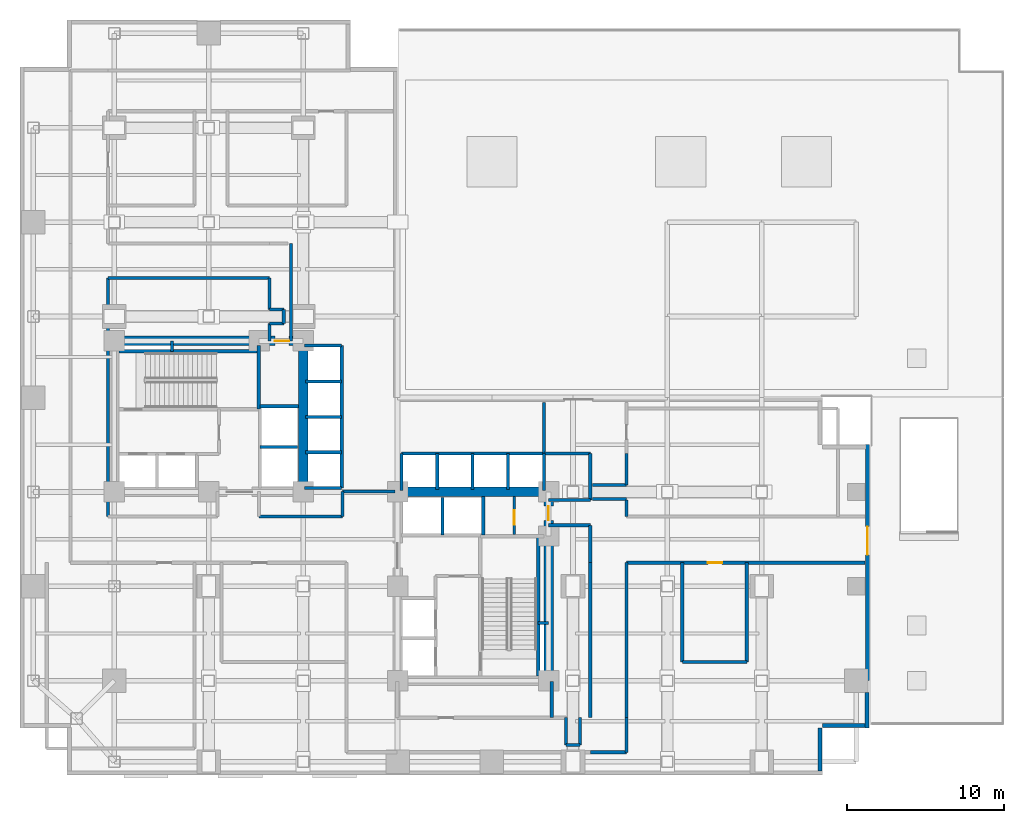
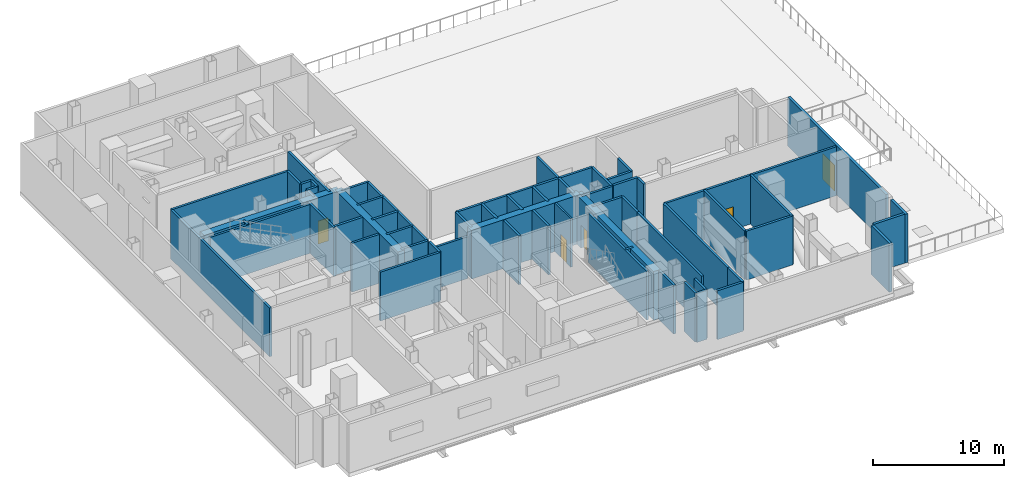
# One storey, part 5 of 8: 63 walls, 5 doors, 5 openings.
"""IFC4 building model written with IfcOpenShell, lengths in metres."""

from ifc_helpers import new_model, si_unit, direction, frame, frame_2d, origin, place, context, subcontext, project, spatial, rectangle, extrude, material, layer, layer_set, type_object, element, fill, save


model = new_model("IFC4")

# Units and contexts
model_context = context("Model", 3, precision=1e-05, world=origin(), true_north=direction((0.0, 1.0)))
body_context = subcontext(model_context, "Body", "Model", "MODEL_VIEW")
ifc_project = project(units=[si_unit("LENGTHUNIT", "METRE"), si_unit("AREAUNIT", "SQUARE_METRE"), si_unit("VOLUMEUNIT", "CUBIC_METRE"), si_unit("PLANEANGLEUNIT", "RADIAN"), si_unit("MASSUNIT", "GRAM", prefix="KILO"), si_unit("THERMODYNAMICTEMPERATUREUNIT", "KELVIN"), si_unit("POWERUNIT", "WATT")], contexts=[model_context])

# Site, building, storey
site_placement = place(None, origin())
site = spatial("IfcSite", under=ifc_project, at=site_placement, CompositionType="ELEMENT")
building_placement = place(site_placement, origin())
building = spatial("IfcBuilding", under=site, at=building_placement, Name="Svarakhadi Broadcast Tower", CompositionType="ELEMENT")
storey_placement = place(building_placement, frame((0.0, 0.0, 27.60009765625)))
storey = spatial("IfcBuildingStorey", under=building, at=storey_placement, Name="L05", CompositionType="ELEMENT", Elevation=27.60009765625)

# Wall, opening, door
ifc_material_1 = material(Name="Concrete C40/50 (IS 456 M50)", Category="concrete")
ifc_layer_1 = layer(ifc_material_1, 0.239990234375)
ifc_layer_set_1 = layer_set([ifc_layer_1], Name="Concrete C40/50 (IS 456 M50)")
wall_type_1 = type_object("IfcWallType", Name="Wall_Ext_240", PredefinedType="SOLIDWALL", material=ifc_layer_set_1)
wall_1_placement = place(storey_placement, frame((53.8798828125, 21.0, 0.0), z_axis=(0.0, 0.0, 1.0), x_axis=(0.0, -1.0, 0.0)))
wall_1 = element("IfcWall", 1, at=wall_1_placement, inside=storey, type_object=wall_type_1, Name="L05 East Podium Terrace Access Wall", PredefinedType="SOLIDWALL", context=body_context, shape_type="SweptSolid", body=[
    extrude(rectangle(XDim=15.0, YDim=0.239990234375, at=frame_2d((7.5, 0.0))), origin(), (0.0, 0.0, 1.0), 4.5498046875),
])
opening_1_placement = place(wall_1_placement, frame((5.199951171875, 0.0, 0.0)))
opening_1 = element("IfcOpeningElement", 2, at=opening_1_placement, cuts=wall_1, Name="Opening ED-02", PredefinedType="OPENING", context=body_context, shape_type="SweptSolid", body=[
    extrude(rectangle(XDim=1.800048828125, YDim=2.39990234375, at=frame_2d((0.89990234375, 1.199951171875))), frame((0.0, 0.1298828125, 0.0), z_axis=(0.0, -1.0, 0.0), x_axis=(1.0, 0.0, 0.0)), (0.0, 0.0, 1.0), 0.260009765625),
])
ifc_material_2 = material(Name="Anodised Bronze Aluminium AA 6063-T6", Category="aluminium")
door_type_1 = type_object("IfcDoorType", Name="Door_Ext_ED02", OperationType="DOUBLE_DOOR_SINGLE_SWING", PredefinedType="DOOR", material=ifc_material_2)
door_1_placement = place(opening_1_placement, origin())
door_1 = element("IfcDoor", 3, at=door_1_placement, inside=storey, type_object=door_type_1, Name="L05 Podium SE Roof Terrace Access Door", OperationType="DOUBLE_DOOR_SINGLE_SWING", OverallHeight=2.39990234375, OverallWidth=1.800048828125, PredefinedType="DOOR", context=body_context, shape_type="SweptSolid", body=[
    extrude(rectangle(XDim=1.800048828125, YDim=2.39990234375, at=frame_2d((0.89990234375, 1.199951171875))), frame((0.0, 0.02490234375, 0.0), z_axis=(0.0, -1.0, 0.0), x_axis=(1.0, 0.0, 0.0)), (0.0, 0.0, 1.0), 0.050048828125),
])
fill(opening_1, door_1)

# Walls
wall_2_placement = place(storey_placement, frame((53.85009765625, 5.264892578125, 0.0), z_axis=(0.0, 0.0, 1.0), x_axis=(0.0, -1.0, 0.0)))
element("IfcWall", 4, at=wall_2_placement, inside=storey, type_object=wall_type_1, Name="L05 Perimeter Bronze Spandrel Closure Wall 11", PredefinedType="SOLIDWALL", context=body_context, shape_type="SweptSolid", body=[
    extrude(rectangle(XDim=2.264892578125, YDim=0.239990234375, at=frame_2d((1.13232421875, 0.0))), origin(), (0.0, 0.0, 1.0), 4.5498046875),
])
wall_3_placement = place(storey_placement, frame((53.72509765625, 3.14990234375, 0.0), z_axis=(0.0, 0.0, 1.0), x_axis=(-1.0, 0.0, 0.0)))
element("IfcWall", 5, at=wall_3_placement, inside=storey, type_object=wall_type_1, Name="L05 Perimeter Bronze Spandrel Closure Wall 12", PredefinedType="SOLIDWALL", context=body_context, shape_type="SweptSolid", body=[
    extrude(rectangle(XDim=2.72509765625, YDim=0.239990234375, at=frame_2d((1.362548828125, 0.0))), origin(), (0.0, 0.0, 1.0), 4.5498046875),
])
wall_4_placement = place(storey_placement, frame((50.85009765625, 3.0, 0.0), z_axis=(0.0, 0.0, 1.0), x_axis=(0.0, -1.0, 0.0)))
element("IfcWall", 6, at=wall_4_placement, inside=storey, type_object=wall_type_1, Name="L05 Perimeter Bronze Spandrel Closure Wall 13", PredefinedType="SOLIDWALL", context=body_context, shape_type="SweptSolid", body=[
    extrude(rectangle(XDim=2.7451171875, YDim=0.239990234375, at=frame_2d((1.37255859375, 0.0))), origin(), (0.0, 0.0, 1.0), 4.5498046875),
])
ifc_layer_2 = layer(ifc_material_1, 0.199951171875)
ifc_layer_set_2 = layer_set([ifc_layer_2], Name="Concrete C40/50 (IS 456 M50)")
wall_type_2 = type_object("IfcWallType", Name="Wall_Fire_200", PredefinedType="SOLIDWALL", material=ifc_layer_set_2)
for number, where, z_axis, x_axis, name in (
    (7, (9.659912109375, 26.93994140625, 0.0), (0.0, 0.0, 1.0), (0.0, 1.0, 0.0), "L05 Wet Riser Shaft East Wall"),
    (8, (32.93994140625, 9.659912109375, 0.0), (0.0, 0.0, 1.0), (1.0, 0.0, 0.0), "L05 HV Busduct Riser Shaft North Wall"),
):
    element("IfcWall", number, at=place(storey_placement, frame(where, z_axis=z_axis, x_axis=x_axis)), inside=storey, type_object=wall_type_2, Name=name, PredefinedType="SOLIDWALL", context=body_context, shape_type="SweptSolid", body=[
        extrude(rectangle(XDim=0.64013671875, YDim=0.199951171875, at=frame_2d((0.320068359375, 0.0))), origin(), (0.0, 0.0, 1.0), 4.5498046875),
    ])
wall_5_placement = place(storey_placement, frame((17.219970703125, 33.800048828125, 0.0), z_axis=(0.0, 0.0, 1.0), x_axis=(0.0, -1.0, 0.0)))
element("IfcWall", 9, at=wall_5_placement, inside=storey, type_object=wall_type_2, Name="L05 Plant Service Corridor Wall", PredefinedType="SOLIDWALL", context=body_context, shape_type="SweptSolid", body=[
    extrude(rectangle(XDim=6.219970703125, YDim=0.199951171875, at=frame_2d((3.10986328125, 0.0))), origin(), (0.0, 0.0, 1.0), 4.5498046875),
])
wall_6_placement = place(storey_placement, frame((15.85009765625, 27.580078125, 0.0), z_axis=(0.0, 0.0, 1.0), x_axis=(0.0, 1.0, 0.0)))
element("IfcWall", 10, at=wall_6_placement, inside=storey, type_object=wall_type_2, Name="L05 Plant Service Corridor Wall", PredefinedType="SOLIDWALL", context=body_context, shape_type="SweptSolid", body=[
    extrude(rectangle(XDim=1.119873046875, YDim=0.199951171875, at=frame_2d((0.56005859375, 0.0))), origin(), (0.0, 0.0, 1.0), 4.5498046875),
])
wall_7_placement = place(storey_placement, frame((15.85009765625, 28.699951171875, 0.0), z_axis=(0.0, 0.0, 1.0), x_axis=(1.0, 0.0, 0.0)))
element("IfcWall", 11, at=wall_7_placement, inside=storey, type_object=wall_type_2, Name="L05 Plant Service Corridor Wall", PredefinedType="SOLIDWALL", context=body_context, shape_type="SweptSolid", body=[
    extrude(rectangle(XDim=0.9169921875, YDim=0.199951171875, at=frame_2d((0.45849609375, 0.0))), origin(), (0.0, 0.0, 1.0), 4.5498046875),
])
wall_8_placement = place(storey_placement, frame((16.76708984375, 28.699951171875, 0.0), z_axis=(0.0, 0.0, 1.0), x_axis=(0.0, 1.0, 0.0)))
element("IfcWall", 12, at=wall_8_placement, inside=storey, type_object=wall_type_2, Name="L05 Plant Service Corridor Wall", PredefinedType="SOLIDWALL", context=body_context, shape_type="SweptSolid", body=[
    extrude(rectangle(XDim=0.900146484375, YDim=0.199951171875, at=frame_2d((0.4501953125, 0.0))), origin(), (0.0, 0.0, 1.0), 4.5498046875),
])
wall_9_placement = place(storey_placement, frame((16.76708984375, 29.60009765625, 0.0), z_axis=(0.0, 0.0, 1.0), x_axis=(-1.0, 0.0, 0.0)))
element("IfcWall", 13, at=wall_9_placement, inside=storey, type_object=wall_type_2, Name="L05 Plant Service Corridor Wall", PredefinedType="SOLIDWALL", context=body_context, shape_type="SweptSolid", body=[
    extrude(rectangle(XDim=0.9169921875, YDim=0.199951171875, at=frame_2d((0.45849609375, 0.0))), origin(), (0.0, 0.0, 1.0), 4.5498046875),
])
wall_10_placement = place(storey_placement, frame((15.85009765625, 29.60009765625, 0.0), z_axis=(0.0, 0.0, 1.0), x_axis=(0.0, 1.0, 0.0)))
element("IfcWall", 14, at=wall_10_placement, inside=storey, type_object=wall_type_2, Name="L05 Plant Service Corridor Wall", PredefinedType="SOLIDWALL", context=body_context, shape_type="SweptSolid", body=[
    extrude(rectangle(XDim=2.0, YDim=0.199951171875, at=frame_2d((1.0, 0.0))), origin(), (0.0, 0.0, 1.0), 4.5498046875),
])
wall_11_placement = place(storey_placement, frame((15.85009765625, 31.60009765625, 0.0), z_axis=(0.0, 0.0, 1.0), x_axis=(-1.0, 0.0, 0.0)))
element("IfcWall", 15, at=wall_11_placement, inside=storey, type_object=wall_type_2, Name="L05 Plant Service Corridor Wall", PredefinedType="SOLIDWALL", context=body_context, shape_type="SweptSolid", body=[
    extrude(rectangle(XDim=10.25, YDim=0.199951171875, at=frame_2d((5.125, 0.0))), origin(), (0.0, 0.0, 1.0), 4.5498046875),
])
wall_12_placement = place(storey_placement, frame((5.60009765625, 31.60009765625, 0.0), z_axis=(0.0, 0.0, 1.0), x_axis=(0.0, -1.0, 0.0)))
element("IfcWall", 16, at=wall_12_placement, inside=storey, type_object=wall_type_2, Name="L05 Plant Service Corridor Wall", PredefinedType="SOLIDWALL", context=body_context, shape_type="SweptSolid", body=[
    extrude(rectangle(XDim=15.150146484375, YDim=0.199951171875, at=frame_2d((7.5751953125, 0.0))), origin(), (0.0, 0.0, 1.0), 4.5498046875),
])
wall_13_placement = place(storey_placement, frame((15.199951171875, 16.449951171875, 0.0), z_axis=(0.0, 0.0, 1.0), x_axis=(1.0, 0.0, 0.0)))
element("IfcWall", 17, at=wall_13_placement, inside=storey, type_object=wall_type_2, Name="L05 Plant Service Corridor Wall", PredefinedType="SOLIDWALL", context=body_context, shape_type="SweptSolid", body=[
    extrude(rectangle(XDim=5.300048828125, YDim=0.199951171875, at=frame_2d((2.64990234375, 0.0))), origin(), (0.0, 0.0, 1.0), 4.5498046875),
])
wall_14_placement = place(storey_placement, frame((20.5, 16.449951171875, 0.0), z_axis=(0.0, 0.0, 1.0), x_axis=(0.0, 1.0, 0.0)))
element("IfcWall", 18, at=wall_14_placement, inside=storey, type_object=wall_type_2, Name="L05 Plant Service Corridor Wall", PredefinedType="SOLIDWALL", context=body_context, shape_type="SweptSolid", body=[
    extrude(rectangle(XDim=1.570068359375, YDim=0.199951171875, at=frame_2d((0.78515625, 0.0))), origin(), (0.0, 0.0, 1.0), 4.5498046875),
])
wall_15_placement = place(storey_placement, frame((20.5, 18.02001953125, 0.0), z_axis=(0.0, 0.0, 1.0), x_axis=(1.0, 0.0, 0.0)))
element("IfcWall", 19, at=wall_15_placement, inside=storey, type_object=wall_type_2, Name="L05 Plant Service Corridor Wall", PredefinedType="SOLIDWALL", context=body_context, shape_type="SweptSolid", body=[
    extrude(rectangle(XDim=3.35009765625, YDim=0.199951171875, at=frame_2d((1.675048828125, 0.0))), origin(), (0.0, 0.0, 1.0), 3.891845703125),
])
wall_16_placement = place(storey_placement, frame((34.699951171875, 3.64990234375, 0.0), z_axis=(0.0, 0.0, 1.0), x_axis=(0.0, -1.0, 0.0)))
element("IfcWall", 20, at=wall_16_placement, inside=storey, type_object=wall_type_2, Name="L05 Plant Service Corridor Wall", PredefinedType="SOLIDWALL", context=body_context, shape_type="SweptSolid", body=[
    extrude(rectangle(XDim=1.741943359375, YDim=0.199951171875, at=frame_2d((0.87109375, 0.0))), origin(), (0.0, 0.0, 1.0), 4.5498046875),
])
wall_17_placement = place(storey_placement, frame((34.699951171875, 1.907958984375, 0.0), z_axis=(0.0, 0.0, 1.0), x_axis=(1.0, 0.0, 0.0)))
element("IfcWall", 21, at=wall_17_placement, inside=storey, type_object=wall_type_2, Name="L05 Plant Service Corridor Wall", PredefinedType="SOLIDWALL", context=body_context, shape_type="SweptSolid", body=[
    extrude(rectangle(XDim=0.900146484375, YDim=0.199951171875, at=frame_2d((0.4501953125, 0.0))), origin(), (0.0, 0.0, 1.0), 4.5498046875),
])
wall_18_placement = place(storey_placement, frame((35.60009765625, 1.907958984375, 0.0), z_axis=(0.0, 0.0, 1.0), x_axis=(0.0, 1.0, 0.0)))
element("IfcWall", 22, at=wall_18_placement, inside=storey, type_object=wall_type_2, Name="L05 Plant Service Corridor Wall", PredefinedType="SOLIDWALL", context=body_context, shape_type="SweptSolid", body=[
    extrude(rectangle(XDim=1.741943359375, YDim=0.199951171875, at=frame_2d((0.87109375, 0.0))), origin(), (0.0, 0.0, 1.0), 4.5498046875),
])
wall_19_placement = place(storey_placement, frame((36.25, 3.64990234375, 0.0), z_axis=(0.0, 0.0, 1.0), x_axis=(0.0, 1.0, 0.0)))
element("IfcWall", 23, at=wall_19_placement, inside=storey, type_object=wall_type_2, Name="L05 Plant Service Corridor Wall", PredefinedType="SOLIDWALL", context=body_context, shape_type="SweptSolid", body=[
    extrude(rectangle(XDim=9.85009765625, YDim=0.199951171875, at=frame_2d((4.925048828125, 0.0))), origin(), (0.0, 0.0, 1.0), 4.5498046875),
])
wall_20_placement = place(storey_placement, frame((36.25, 13.5, 0.0), z_axis=(0.0, 0.0, 1.0), x_axis=(0.0, 1.0, 0.0)))
element("IfcWall", 24, at=wall_20_placement, inside=storey, type_object=wall_type_2, Name="L05 Plant Service Corridor Wall", PredefinedType="SOLIDWALL", context=body_context, shape_type="SweptSolid", body=[
    extrude(rectangle(XDim=2.3798828125, YDim=0.199951171875, at=frame_2d((1.18994140625, 0.0))), origin(), (0.0, 0.0, 1.0), 4.5498046875),
])
for number, where, z_axis, x_axis, name in (
    (25, (36.25, 15.8798828125, 0.0), (0.0, 0.0, 1.0), (-1.0, 0.0, 0.0), "L05 Plant Service Corridor Wall"),
    (26, (33.580078125, 17.47998046875, 0.0), (0.0, 0.0, 1.0), (1.0, 0.0, 0.0), "L05 Plant Service Corridor Wall"),
):
    element("IfcWall", number, at=place(storey_placement, frame(where, z_axis=z_axis, x_axis=x_axis)), inside=storey, type_object=wall_type_2, Name=name, PredefinedType="SOLIDWALL", context=body_context, shape_type="SweptSolid", body=[
        extrude(rectangle(XDim=2.669921875, YDim=0.199951171875, at=frame_2d((1.3349609375, 0.0))), origin(), (0.0, 0.0, 1.0), 4.5498046875),
    ])
wall_21_placement = place(storey_placement, frame((36.25, 17.47998046875, 0.0), z_axis=(0.0, 0.0, 1.0), x_axis=(0.0, 1.0, 0.0)))
element("IfcWall", 27, at=wall_21_placement, inside=storey, type_object=wall_type_2, Name="L05 Plant Service Corridor Wall", PredefinedType="SOLIDWALL", context=body_context, shape_type="SweptSolid", body=[
    extrude(rectangle(XDim=2.969970703125, YDim=0.199951171875, at=frame_2d((1.48486328125, 0.0))), origin(), (0.0, 0.0, 1.0), 4.5498046875),
])
wall_22_placement = place(storey_placement, frame((36.25, 20.449951171875, 0.0), z_axis=(0.0, 0.0, 1.0), x_axis=(-1.0, 0.0, 0.0)))
element("IfcWall", 28, at=wall_22_placement, inside=storey, type_object=wall_type_2, Name="L05 Plant Service Corridor Wall", PredefinedType="SOLIDWALL", context=body_context, shape_type="SweptSolid", body=[
    extrude(rectangle(XDim=2.949951171875, YDim=0.199951171875, at=frame_2d((1.47509765625, 0.0))), origin(), (0.0, 0.0, 1.0), 4.5498046875),
])
wall_23_placement = place(storey_placement, frame((33.300048828125, 20.449951171875, 0.0), z_axis=(0.0, 0.0, 1.0), x_axis=(0.0, 1.0, 0.0)))
element("IfcWall", 29, at=wall_23_placement, inside=storey, type_object=wall_type_2, Name="L05 Plant Service Corridor Wall", PredefinedType="SOLIDWALL", context=body_context, shape_type="SweptSolid", body=[
    extrude(rectangle(XDim=3.25, YDim=0.199951171875, at=frame_2d((1.625, 0.0))), origin(), (0.0, 0.0, 1.0), 4.5498046875),
])
wall_24_placement = place(storey_placement, frame((38.550048828125, 20.449951171875, 0.0), z_axis=(0.0, 0.0, 1.0), x_axis=(0.0, -1.0, 0.0)))
element("IfcWall", 30, at=wall_24_placement, inside=storey, type_object=wall_type_2, Name="L05 Plant Service Corridor Wall", PredefinedType="SOLIDWALL", context=body_context, shape_type="SweptSolid", body=[
    extrude(rectangle(XDim=2.0, YDim=0.199951171875, at=frame_2d((1.0, 0.0))), origin(), (0.0, 0.0, 1.0), 4.5498046875),
])
for number, where, z_axis, x_axis, name in (
    (31, (38.550048828125, 18.449951171875, 0.0), (0.0, 0.0, 1.0), (-1.0, 0.0, 0.0), "L05 Plant Service Corridor Wall"),
    (32, (36.383056640625, 17.550048828125, 0.0), (0.0, 0.0, 1.0), (1.0, 0.0, 0.0), "L05 Plant Service Corridor Wall"),
):
    element("IfcWall", number, at=place(storey_placement, frame(where, z_axis=z_axis, x_axis=x_axis)), inside=storey, type_object=wall_type_2, Name=name, PredefinedType="SOLIDWALL", context=body_context, shape_type="SweptSolid", body=[
        extrude(rectangle(XDim=2.1669921875, YDim=0.199951171875, at=frame_2d((1.08349609375, 0.0))), origin(), (0.0, 0.0, 1.0), 4.5498046875),
    ])
wall_25_placement = place(storey_placement, frame((38.550048828125, 17.47998046875, 0.0), z_axis=(0.0, 0.0, 1.0), x_axis=(0.0, -1.0, 0.0)))
element("IfcWall", 33, at=wall_25_placement, inside=storey, type_object=wall_type_2, Name="L05 Plant Service Corridor Wall", PredefinedType="SOLIDWALL", context=body_context, shape_type="SweptSolid", body=[
    extrude(rectangle(XDim=1.030029296875, YDim=0.199951171875, at=frame_2d((0.51513671875, 0.0))), origin(), (0.0, 0.0, 1.0), 4.5498046875),
])

# Wall, opening, door
wall_26_placement = place(storey_placement, frame((53.699951171875, 13.5, 0.0), z_axis=(0.0, 0.0, 1.0), x_axis=(-1.0, 0.0, 0.0)))
wall_26 = element("IfcWall", 34, at=wall_26_placement, inside=storey, type_object=wall_type_2, Name="L05 Plant Service Corridor Wall", PredefinedType="SOLIDWALL", context=body_context, shape_type="SweptSolid", body=[
    extrude(rectangle(XDim=15.14990234375, YDim=0.199951171875, at=frame_2d((7.574951171875, 0.0))), origin(), (0.0, 0.0, 1.0), 4.5498046875),
])
opening_2_placement = place(wall_26_placement, frame((9.074951171875, 0.0, 0.0)))
opening_2 = element("IfcOpeningElement", 35, at=opening_2_placement, cuts=wall_26, Name="Opening D-03", PredefinedType="OPENING", context=body_context, shape_type="SweptSolid", body=[
    extrude(rectangle(XDim=0.89990234375, YDim=2.14990234375, at=frame_2d((0.449951171875, 1.074951171875))), frame((0.0, 0.10986328125, 0.0), z_axis=(0.0, -1.0, 0.0), x_axis=(1.0, 0.0, 0.0)), (0.0, 0.0, 1.0), 0.219970703125),
])
ifc_material_3 = material(Name="Galvanised Powder-Coated Fire-Rated Steel Leaf", Category="steel")
door_type_2 = type_object("IfcDoorType", Name="Door_Fire_D03", OperationType="SINGLE_SWING_LEFT", PredefinedType="DOOR", material=ifc_material_3)
door_2_placement = place(opening_2_placement, origin())
door_2 = element("IfcDoor", 36, at=door_2_placement, inside=storey, type_object=door_type_2, Name="L05 Sprinkler Break Tank and Fire Pump Plant Room Door", OperationType="SINGLE_SWING_LEFT", OverallHeight=2.14990234375, OverallWidth=0.89990234375, PredefinedType="DOOR", context=body_context, shape_type="SweptSolid", body=[
    extrude(rectangle(XDim=0.89990234375, YDim=2.14990234375, at=frame_2d((0.449951171875, 1.074951171875))), frame((0.0, 0.02490234375, 0.0), z_axis=(0.0, -1.0, 0.0), x_axis=(1.0, 0.0, 0.0)), (0.0, 0.0, 1.0), 0.050048828125),
])
fill(opening_2, door_2)

# Walls
wall_27_placement = place(storey_placement, frame((38.550048828125, 13.5, 0.0), z_axis=(0.0, 0.0, 1.0), x_axis=(0.0, -1.0, 0.0)))
element("IfcWall", 37, at=wall_27_placement, inside=storey, type_object=wall_type_2, Name="L05 Plant Service Corridor Wall", PredefinedType="SOLIDWALL", context=body_context, shape_type="SweptSolid", body=[
    extrude(rectangle(XDim=9.85009765625, YDim=0.199951171875, at=frame_2d((4.925048828125, 0.0))), origin(), (0.0, 0.0, 1.0), 4.5498046875),
])
wall_28_placement = place(storey_placement, frame((38.550048828125, 3.64990234375, 0.0), z_axis=(0.0, 0.0, 1.0), x_axis=(0.0, -1.0, 0.0)))
element("IfcWall", 38, at=wall_28_placement, inside=storey, type_object=wall_type_2, Name="L05 Plant Service Corridor Wall", PredefinedType="SOLIDWALL", context=body_context, shape_type="SweptSolid", body=[
    extrude(rectangle(XDim=2.199951171875, YDim=0.199951171875, at=frame_2d((1.10009765625, 0.0))), origin(), (0.0, 0.0, 1.0), 4.5498046875),
])
wall_29_placement = place(storey_placement, frame((38.550048828125, 1.449951171875, 0.0), z_axis=(0.0, 0.0, 1.0), x_axis=(-1.0, 0.0, 0.0)))
element("IfcWall", 39, at=wall_29_placement, inside=storey, type_object=wall_type_2, Name="L05 Plant Service Corridor Wall", PredefinedType="SOLIDWALL", context=body_context, shape_type="SweptSolid", body=[
    extrude(rectangle(XDim=2.300048828125, YDim=0.199951171875, at=frame_2d((1.14990234375, 0.0))), origin(), (0.0, 0.0, 1.0), 4.5498046875),
])
wall_30_placement = place(storey_placement, frame((42.10009765625, 7.199951171875, 0.0), z_axis=(0.0, 0.0, 1.0), x_axis=(1.0, 0.0, 0.0)))
element("IfcWall", 40, at=wall_30_placement, inside=storey, type_object=wall_type_2, Name="L05 Sprinkler Break Tank and Fire Pump Plant Room Wall", PredefinedType="SOLIDWALL", context=body_context, shape_type="SweptSolid", body=[
    extrude(rectangle(XDim=4.099853515625, YDim=0.199951171875, at=frame_2d((2.0498046875, 0.0))), origin(), (0.0, 0.0, 1.0), 4.5498046875),
])
for number, where, z_axis, x_axis, name in (
    (41, (42.10009765625, 7.199951171875, 0.0), (0.0, 0.0, 1.0), (0.0, 1.0, 0.0), "L05 Sprinkler Break Tank and Fire Pump Plant Room Wall"),
    (42, (46.199951171875, 7.199951171875, 0.0), (0.0, 0.0, 1.0), (0.0, 1.0, 0.0), "L05 Sprinkler Break Tank and Fire Pump Plant Room Wall"),
):
    element("IfcWall", number, at=place(storey_placement, frame(where, z_axis=z_axis, x_axis=x_axis)), inside=storey, type_object=wall_type_2, Name=name, PredefinedType="SOLIDWALL", context=body_context, shape_type="SweptSolid", body=[
        extrude(rectangle(XDim=6.300048828125, YDim=0.199951171875, at=frame_2d((3.14990234375, 0.0))), origin(), (0.0, 0.0, 1.0), 4.5498046875),
    ])
wall_31_placement = place(storey_placement, frame((33.800048828125, 3.64990234375, 0.0), z_axis=(0.0, 0.0, 1.0), x_axis=(0.0, 1.0, 0.0)))
element("IfcWall", 43, at=wall_31_placement, inside=storey, type_object=wall_type_2, Name="L05 Zone High-Voltage Switchgear Plant Room Wall", PredefinedType="SOLIDWALL", context=body_context, shape_type="SweptSolid", body=[
    extrude(rectangle(XDim=2.300048828125, YDim=0.199951171875, at=frame_2d((1.14990234375, 0.0))), origin(), (0.0, 0.0, 1.0), 4.5498046875),
])

# Wall, opening, door
ifc_material_4 = material(Name="Autoclaved Aerated Concrete Blockwork 150 mm", Category="masonry")
ifc_layer_3 = layer(ifc_material_4, 0.14990234375)
ifc_layer_set_3 = layer_set([ifc_layer_3], Name="Autoclaved Aerated Concrete Blockwork 150 mm")
wall_type_3 = type_object("IfcWallType", Name="Wall_Part_150", PredefinedType="PARTITIONING", material=ifc_layer_set_3)
wall_32_placement = place(storey_placement, frame((31.419921875, 15.280029296875, 0.0), z_axis=(0.0, 0.0, 1.0), x_axis=(0.0, 1.0, 0.0)))
wall_32 = element("IfcWall", 44, at=wall_32_placement, inside=storey, type_object=wall_type_3, Name="L05 Core Service Split Wall", PredefinedType="PARTITIONING", context=body_context, shape_type="SweptSolid", body=[
    extrude(rectangle(XDim=2.419921875, YDim=0.14990234375, at=frame_2d((1.2099609375, 0.0))), origin(), (0.0, 0.0, 1.0), 4.5498046875),
])
opening_3_placement = place(wall_32_placement, frame((0.64990234375, 0.0, 0.0)))
opening_3 = element("IfcOpeningElement", 45, at=opening_3_placement, cuts=wall_32, Name="Opening D-04", PredefinedType="OPENING", context=body_context, shape_type="SweptSolid", body=[
    extrude(rectangle(XDim=0.89990234375, YDim=2.14990234375, at=frame_2d((0.449951171875, 1.074951171875))), frame((0.0, 0.0849609375, 0.0), z_axis=(0.0, -1.0, 0.0), x_axis=(1.0, 0.0, 0.0)), (0.0, 0.0, 1.0), 0.169921875),
])
door_type_3 = type_object("IfcDoorType", Name="Door_Fire_D04", OperationType="SINGLE_SWING_RIGHT", PredefinedType="DOOR", material=ifc_material_3)
door_3_placement = place(opening_3_placement, origin())
door_3 = element("IfcDoor", 46, at=door_3_placement, inside=storey, type_object=door_type_3, Name="L05 Core Inner Riser Store Door", OperationType="SINGLE_SWING_RIGHT", OverallHeight=2.14990234375, OverallWidth=0.89990234375, PredefinedType="DOOR", context=body_context, shape_type="SweptSolid", body=[
    extrude(rectangle(XDim=0.89990234375, YDim=2.14990234375, at=frame_2d((0.449951171875, 1.074951171875))), frame((0.0, 0.02490234375, 0.0), z_axis=(0.0, -1.0, 0.0), x_axis=(1.0, 0.0, 0.0)), (0.0, 0.0, 1.0), 0.050048828125),
])
fill(opening_3, door_3)

# Walls
ifc_material_5 = material(Name="Concrete C50/60 (IS 456 M60)", Category="concrete")
ifc_layer_4 = layer(ifc_material_5, 0.199951171875)
ifc_layer_set_4 = layer_set([ifc_layer_4], Name="Concrete C50/60 (IS 456 M60)")
wall_type_4 = type_object("IfcWallType", Name="Wall_Shear_200", PredefinedType="SHEAR", material=ifc_layer_set_4)
wall_33_placement = place(storey_placement, frame((6.300048828125, 26.93994140625, 0.0), z_axis=(0.0, 0.0, 1.0), x_axis=(1.0, 0.0, 0.0)))
element("IfcWall", 47, at=wall_33_placement, inside=storey, type_object=wall_type_4, Name="L05 Stair ST-01 North RC Shaft Wall", PredefinedType="SHEAR", context=body_context, shape_type="SweptSolid", body=[
    extrude(rectangle(XDim=8.8798828125, YDim=0.199951171875, at=frame_2d((4.43994140625, 0.0))), origin(), (0.0, 0.0, 1.0), 4.5498046875),
])
wall_34_placement = place(storey_placement, frame((15.179931640625, 23.260009765625, 0.0), z_axis=(0.0, 0.0, 1.0), x_axis=(0.0, 1.0, 0.0)))
element("IfcWall", 48, at=wall_34_placement, inside=storey, type_object=wall_type_4, Name="L05 Stair ST-01 East RC Shaft Wall", PredefinedType="SHEAR", context=body_context, shape_type="SweptSolid", body=[
    extrude(rectangle(XDim=4.0400390625, YDim=0.199951171875, at=frame_2d((2.02001953125, 0.0))), origin(), (0.0, 0.0, 1.0), 4.5498046875),
])
wall_35_placement = place(storey_placement, frame((32.93994140625, 6.300048828125, 0.0), z_axis=(0.0, 0.0, 1.0), x_axis=(0.0, 1.0, 0.0)))
element("IfcWall", 49, at=wall_35_placement, inside=storey, type_object=wall_type_4, Name="L05 Stair ST-02 East RC Shaft Wall", PredefinedType="SHEAR", context=body_context, shape_type="SweptSolid", body=[
    extrude(rectangle(XDim=8.8798828125, YDim=0.199951171875, at=frame_2d((4.43994140625, 0.0))), origin(), (0.0, 0.0, 1.0), 4.5498046875),
])
wall_36_placement = place(storey_placement, frame((15.25, 20.85009765625, 0.0), z_axis=(0.0, 0.0, 1.0), x_axis=(1.0, 0.0, 0.0)))
element("IfcWall", 50, at=wall_36_placement, inside=storey, type_object=wall_type_4, Name="L05 High-Rise Lift LF-13/14 Divider", PredefinedType="SHEAR", context=body_context, shape_type="SweptSolid", body=[
    extrude(rectangle(XDim=2.39990234375, YDim=0.199951171875, at=frame_2d((1.199951171875, 0.0))), origin(), (0.0, 0.0, 1.0), 4.5498046875),
])
wall_37_placement = place(storey_placement, frame((15.25, 23.449951171875, 0.0), z_axis=(0.0, 0.0, 1.0), x_axis=(1.0, 0.0, 0.0)))
element("IfcWall", 51, at=wall_37_placement, inside=storey, type_object=wall_type_4, Name="L05 High-Rise Lift LF-13/14 North Wall", PredefinedType="SHEAR", context=body_context, shape_type="SweptSolid", body=[
    extrude(rectangle(XDim=2.449951171875, YDim=0.199951171875, at=frame_2d((1.22509765625, 0.0))), origin(), (0.0, 0.0, 1.0), 4.5498046875),
])
wall_38_placement = place(storey_placement, frame((26.85009765625, 15.25, 0.0), z_axis=(0.0, 0.0, 1.0), x_axis=(0.0, 1.0, 0.0)))
element("IfcWall", 52, at=wall_38_placement, inside=storey, type_object=wall_type_4, Name="L05 High-Rise Lift LF-15/16 Divider", PredefinedType="SHEAR", context=body_context, shape_type="SweptSolid", body=[
    extrude(rectangle(XDim=2.39990234375, YDim=0.199951171875, at=frame_2d((1.199951171875, 0.0))), origin(), (0.0, 0.0, 1.0), 4.5498046875),
])
wall_39_placement = place(storey_placement, frame((29.449951171875, 15.25, 0.0), z_axis=(0.0, 0.0, 1.0), x_axis=(0.0, 1.0, 0.0)))
element("IfcWall", 53, at=wall_39_placement, inside=storey, type_object=wall_type_4, Name="L05 High-Rise Lift LF-15/16 East Wall", PredefinedType="SHEAR", context=body_context, shape_type="SweptSolid", body=[
    extrude(rectangle(XDim=2.449951171875, YDim=0.199951171875, at=frame_2d((1.22509765625, 0.0))), origin(), (0.0, 0.0, 1.0), 4.5498046875),
])
for number, where, z_axis, x_axis, name in (
    (54, (18.10009765625, 27.300048828125, 0.0), (0.0, 0.0, 1.0), (1.0, 0.0, 0.0), "L05 Bank A North Shaft Wall"),
    (55, (18.10009765625, 18.25, 0.0), (0.0, 0.0, 1.0), (1.0, 0.0, 0.0), "L05 Bank A South Shaft Wall"),
):
    element("IfcWall", number, at=place(storey_placement, frame(where, z_axis=z_axis, x_axis=x_axis)), inside=storey, type_object=wall_type_4, Name=name, PredefinedType="SHEAR", context=body_context, shape_type="SweptSolid", body=[
        extrude(rectangle(XDim=2.349853515625, YDim=0.199951171875, at=frame_2d((1.1748046875, 0.0))), origin(), (0.0, 0.0, 1.0), 4.5498046875),
    ])
wall_40_placement = place(storey_placement, frame((20.449951171875, 18.25, 0.0), z_axis=(0.0, 0.0, 1.0), x_axis=(0.0, 1.0, 0.0)))
element("IfcWall", 56, at=wall_40_placement, inside=storey, type_object=wall_type_4, Name="L05 Bank A East Landing Wall", PredefinedType="SHEAR", context=body_context, shape_type="SweptSolid", body=[
    extrude(rectangle(XDim=9.050048828125, YDim=0.199951171875, at=frame_2d((4.52490234375, 0.0))), origin(), (0.0, 0.0, 1.0), 4.5498046875),
])
for number, where, z_axis, x_axis, name in (
    (57, (18.14990234375, 20.52001953125, 0.0), (0.0, 0.0, 1.0), (1.0, 0.0, 0.0), "L05 Bank A Divider"),
    (58, (18.14990234375, 22.77001953125, 0.0), (0.0, 0.0, 1.0), (1.0, 0.0, 0.0), "L05 Bank A Divider"),
    (59, (18.14990234375, 25.02001953125, 0.0), (0.0, 0.0, 1.0), (1.0, 0.0, 0.0), "L05 Bank A Divider"),
):
    element("IfcWall", number, at=place(storey_placement, frame(where, z_axis=z_axis, x_axis=x_axis)), inside=storey, type_object=wall_type_4, Name=name, PredefinedType="SHEAR", context=body_context, shape_type="SweptSolid", body=[
        extrude(rectangle(XDim=2.300048828125, YDim=0.199951171875, at=frame_2d((1.14990234375, 0.0))), origin(), (0.0, 0.0, 1.0), 4.5498046875),
    ])
for number, where, z_axis, x_axis, name in (
    (60, (33.300048828125, 18.10009765625, 0.0), (0.0, 0.0, 1.0), (0.0, 1.0, 0.0), "L05 Bank B East Shaft Wall"),
    (61, (24.25, 18.10009765625, 0.0), (0.0, 0.0, 1.0), (0.0, 1.0, 0.0), "L05 Bank B West Shaft Wall"),
):
    element("IfcWall", number, at=place(storey_placement, frame(where, z_axis=z_axis, x_axis=x_axis)), inside=storey, type_object=wall_type_4, Name=name, PredefinedType="SHEAR", context=body_context, shape_type="SweptSolid", body=[
        extrude(rectangle(XDim=2.349853515625, YDim=0.199951171875, at=frame_2d((1.1748046875, 0.0))), origin(), (0.0, 0.0, 1.0), 4.5498046875),
    ])
wall_41_placement = place(storey_placement, frame((24.25, 20.449951171875, 0.0), z_axis=(0.0, 0.0, 1.0), x_axis=(1.0, 0.0, 0.0)))
element("IfcWall", 62, at=wall_41_placement, inside=storey, type_object=wall_type_4, Name="L05 Bank B North Landing Wall", PredefinedType="SHEAR", context=body_context, shape_type="SweptSolid", body=[
    extrude(rectangle(XDim=9.050048828125, YDim=0.199951171875, at=frame_2d((4.52490234375, 0.0))), origin(), (0.0, 0.0, 1.0), 4.5498046875),
])
for number, where, z_axis, x_axis, name in (
    (63, (26.52001953125, 18.14990234375, 0.0), (0.0, 0.0, 1.0), (0.0, 1.0, 0.0), "L05 Bank B Divider"),
    (64, (28.77001953125, 18.14990234375, 0.0), (0.0, 0.0, 1.0), (0.0, 1.0, 0.0), "L05 Bank B Divider"),
    (65, (31.02001953125, 18.14990234375, 0.0), (0.0, 0.0, 1.0), (0.0, 1.0, 0.0), "L05 Bank B Divider"),
):
    element("IfcWall", number, at=place(storey_placement, frame(where, z_axis=z_axis, x_axis=x_axis)), inside=storey, type_object=wall_type_4, Name=name, PredefinedType="SHEAR", context=body_context, shape_type="SweptSolid", body=[
        extrude(rectangle(XDim=2.300048828125, YDim=0.199951171875, at=frame_2d((1.14990234375, 0.0))), origin(), (0.0, 0.0, 1.0), 4.5498046875),
    ])

# Wall, opening, door
ifc_material_6 = material(Name="Concrete C60/75 (IS 456 M70)", Category="concrete")
ifc_layer_5 = layer(ifc_material_6, 0.60009765625)
ifc_layer_set_5 = layer_set([ifc_layer_5], Name="Concrete C60/75 (IS 456 M70)")
wall_type_5 = type_object("IfcWallType", Name="Wall_Shear_600", PredefinedType="SHEAR", material=ifc_layer_set_5)
wall_42_placement = place(storey_placement, frame((6.0, 27.60009765625, 0.0), z_axis=(0.0, 0.0, 1.0), x_axis=(1.0, 0.0, 0.0)))
wall_42 = element("IfcWall", 66, at=wall_42_placement, inside=storey, type_object=wall_type_5, Name="L05 West Core North Shear Wall", PredefinedType="SHEAR", context=body_context, shape_type="SweptSolid", body=[
    extrude(rectangle(XDim=12.0, YDim=0.60009765625, at=frame_2d((6.0, 0.0))), origin(), (0.0, 0.0, 1.0), 4.5498046875),
])
opening_4_placement = place(wall_42_placement, frame((10.199951171875, 0.0, 0.0)))
opening_4 = element("IfcOpeningElement", 67, at=opening_4_placement, cuts=wall_42, Name="Opening D-03", PredefinedType="OPENING", context=body_context, shape_type="SweptSolid", body=[
    extrude(rectangle(XDim=0.89990234375, YDim=2.14990234375, at=frame_2d((0.449951171875, 1.074951171875))), frame((0.0, 0.31005859375, 0.0), z_axis=(0.0, -1.0, 0.0), x_axis=(1.0, 0.0, 0.0)), (0.0, 0.0, 1.0), 0.6201171875),
])
door_4_placement = place(opening_4_placement, origin())
door_4 = element("IfcDoor", 68, at=door_4_placement, inside=storey, type_object=door_type_2, Name="L05 Core Meter Cupboard Door", OperationType="SINGLE_SWING_LEFT", OverallHeight=2.14990234375, OverallWidth=0.89990234375, PredefinedType="DOOR", context=body_context, shape_type="SweptSolid", body=[
    extrude(rectangle(XDim=0.89990234375, YDim=2.14990234375, at=frame_2d((0.449951171875, 1.074951171875))), frame((0.0, 0.02490234375, 0.0), z_axis=(0.0, -1.0, 0.0), x_axis=(1.0, 0.0, 0.0)), (0.0, 0.0, 1.0), 0.050048828125),
])
fill(opening_4, door_4)

# Walls
for number, where, z_axis, x_axis, name in (
    (69, (18.0, 18.0, 0.0), (0.0, 0.0, 1.0), (0.0, 1.0, 0.0), "L05 West Core East Shear Wall"),
    (70, (24.0, 18.0, 0.0), (0.0, 0.0, 1.0), (1.0, 0.0, 0.0), "L05 East Core North Shear Wall"),
):
    element("IfcWall", number, at=place(storey_placement, frame(where, z_axis=z_axis, x_axis=x_axis)), inside=storey, type_object=wall_type_5, Name=name, PredefinedType="SHEAR", context=body_context, shape_type="SweptSolid", body=[
        extrude(rectangle(XDim=9.60009765625, YDim=0.60009765625, at=frame_2d((4.800048828125, 0.0))), origin(), (0.0, 0.0, 1.0), 4.5498046875),
    ])

# Wall, opening, door
wall_43_placement = place(storey_placement, frame((33.60009765625, 6.0, 0.0), z_axis=(0.0, 0.0, 1.0), x_axis=(0.0, 1.0, 0.0)))
wall_43 = element("IfcWall", 71, at=wall_43_placement, inside=storey, type_object=wall_type_5, Name="L05 East Core East Shear Wall", PredefinedType="SHEAR", context=body_context, shape_type="SweptSolid", body=[
    extrude(rectangle(XDim=12.0, YDim=0.60009765625, at=frame_2d((6.0, 0.0))), origin(), (0.0, 0.0, 1.0), 4.5498046875),
])
opening_5_placement = place(wall_43_placement, frame((10.199951171875, 0.0, 0.0)))
opening_5 = element("IfcOpeningElement", 72, at=opening_5_placement, cuts=wall_43, Name="Opening D-03", PredefinedType="OPENING", context=body_context, shape_type="SweptSolid", body=[
    extrude(rectangle(XDim=0.89990234375, YDim=2.14990234375, at=frame_2d((0.449951171875, 1.074951171875))), frame((0.0, 0.31005859375, 0.0), z_axis=(0.0, -1.0, 0.0), x_axis=(1.0, 0.0, 0.0)), (0.0, 0.0, 1.0), 0.6201171875),
])
door_5_placement = place(opening_5_placement, origin())
door_5 = element("IfcDoor", 73, at=door_5_placement, inside=storey, type_object=door_type_2, Name="L05 Core Outer Service Store Door", OperationType="SINGLE_SWING_LEFT", OverallHeight=2.14990234375, OverallWidth=0.89990234375, PredefinedType="DOOR", context=body_context, shape_type="SweptSolid", body=[
    extrude(rectangle(XDim=0.89990234375, YDim=2.14990234375, at=frame_2d((0.449951171875, 1.074951171875))), frame((0.0, 0.02490234375, 0.0), z_axis=(0.0, -1.0, 0.0), x_axis=(1.0, 0.0, 0.0)), (0.0, 0.0, 1.0), 0.050048828125),
])
fill(opening_5, door_5)

save(model, "model.ifc")
